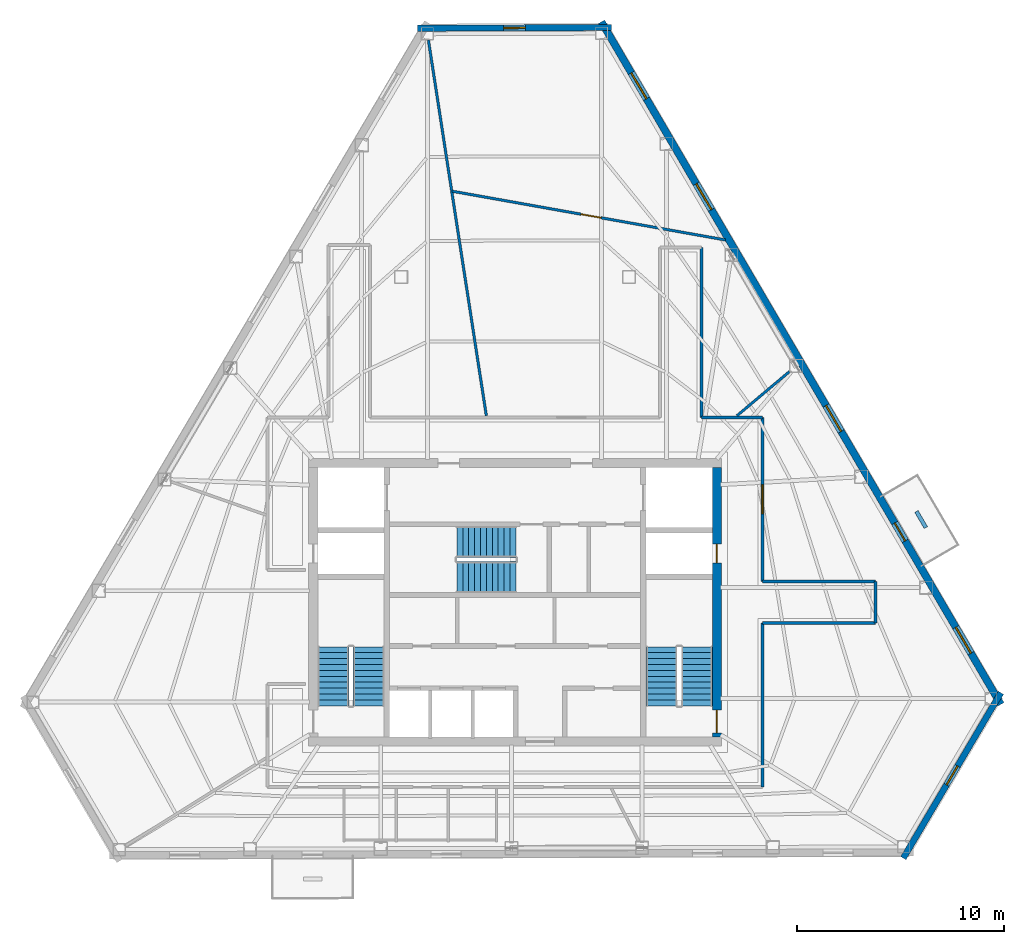
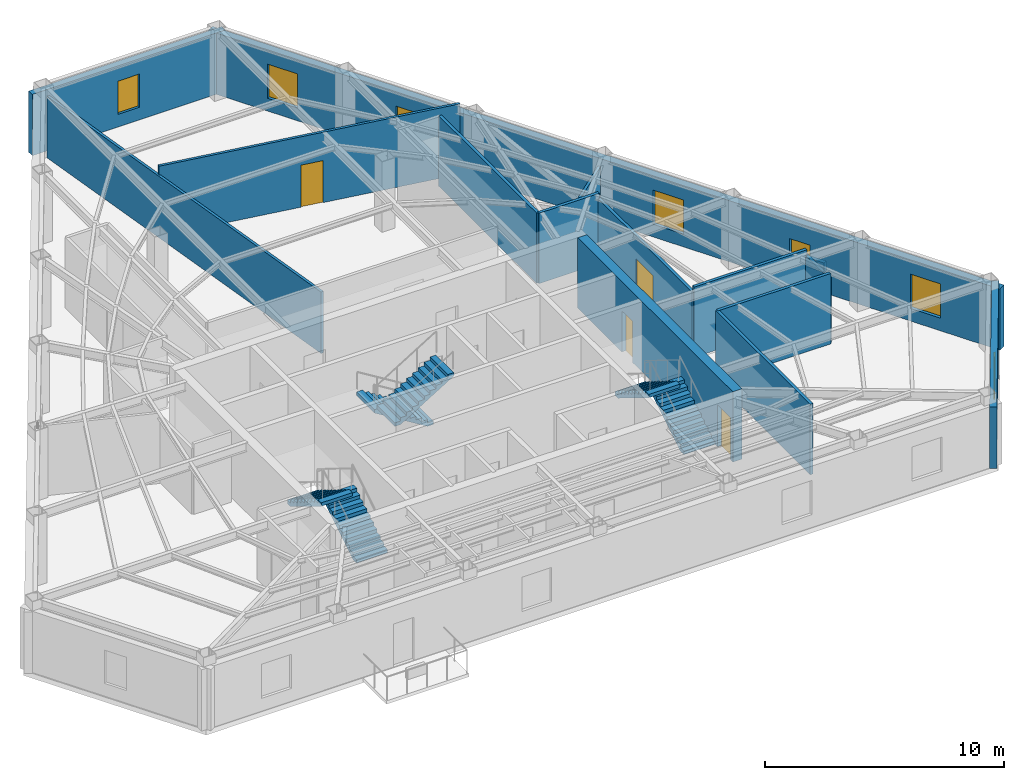
# One storey, part 7 of 9: 15 walls, 6 stair flights, 6 windows, 5 doors, 11 openings, 3 elements without a shape of their own.
"""IFC4 building model written with IfcOpenShell, lengths in metres."""

from ifc_helpers import new_model, si_unit, direction, frame, frame_2d, origin, place, context, subcontext, project, spatial, polyline, rectangle, outline, extrude, material, layer, layer_set, type_object, element, fill, aggregate, save


model = new_model("IFC4")

# Units and contexts
model_context = context("Model", 3, precision=1e-05, world=origin(), true_north=direction((0.0, 1.0)))
body_context = subcontext(model_context, "Body", "Model", "MODEL_VIEW")
ifc_project = project(units=[si_unit("LENGTHUNIT", "METRE"), si_unit("AREAUNIT", "SQUARE_METRE"), si_unit("VOLUMEUNIT", "CUBIC_METRE"), si_unit("PLANEANGLEUNIT", "RADIAN"), si_unit("MASSUNIT", "GRAM", prefix="KILO")], contexts=[model_context])

# Site, building, storey
site_placement = place(None, origin())
site = spatial("IfcSite", under=ifc_project, at=site_placement, CompositionType="ELEMENT")
building_placement = place(site_placement, origin())
building = spatial("IfcBuilding", under=site, at=building_placement, Name="Kavelnor Concourse Tower", CompositionType="ELEMENT")
storey_placement = place(building_placement, frame((0.0, 0.0, 207.35009765625)))
storey = spatial("IfcBuildingStorey", under=building, at=storey_placement, Name="L52", CompositionType="ELEMENT", Elevation=207.35009765625)

# Wall, openings, doors
ifc_material_1 = material(Name="Concrete C50/60", Category="concrete")
ifc_layer_1 = layer(ifc_material_1, 0.43994140625, Name="Concrete C50/60")
ifc_layer_set_1 = layer_set([ifc_layer_1], Name="Concrete C50/60")
wall_type_1 = type_object("IfcWallType", Name="WL-CORE-Z3-440", PredefinedType="SOLIDWALL", material=ifc_layer_set_1)
wall_1_placement = place(storey_placement, frame((47.739990234375, 9.60009765625, 0.0), z_axis=(0.0, 0.0, 1.0), x_axis=(0.0, 1.0, 0.0)))
wall_1 = element("IfcWall", 1, at=wall_1_placement, inside=storey, type_object=wall_type_1, Name="L52 Central Core East Shear Wall", PredefinedType="SOLIDWALL", context=body_context, shape_type="SweptSolid", body=[
    extrude(rectangle(XDim=13.0, YDim=0.43994140625, at=frame_2d((6.5, 0.0))), origin(), (0.0, 0.0, 1.0), 3.599853515625),
])
opening_1_placement = place(wall_1_placement, frame((0.199951171875, 0.0, 0.0)))
opening_1 = element("IfcOpeningElement", 2, at=opening_1_placement, cuts=wall_1, Name="Opening FD-110", PredefinedType="OPENING", context=body_context, shape_type="SweptSolid", body=[
    extrude(rectangle(XDim=1.10009765625, YDim=2.14990234375, at=frame_2d((0.550048828125, 1.074951171875))), frame((0.0, 0.22998046875, 0.0), z_axis=(0.0, -1.0, 0.0), x_axis=(1.0, 0.0, 0.0)), (0.0, 0.0, 1.0), 0.4599609375),
])
opening_2_placement = place(wall_1_placement, frame((8.39990234375, 0.0, 0.0)))
opening_2 = element("IfcOpeningElement", 3, at=opening_2_placement, cuts=wall_1, Name="Opening FD-090", PredefinedType="OPENING", context=body_context, shape_type="SweptSolid", body=[
    extrude(rectangle(XDim=0.89990234375, YDim=2.10009765625, at=frame_2d((0.449951171875, 1.050048828125))), frame((0.0, 0.22998046875, 0.0), z_axis=(0.0, -1.0, 0.0), x_axis=(1.0, 0.0, 0.0)), (0.0, 0.0, 1.0), 0.4599609375),
])
ifc_material_2 = material(Name="Steel Grade 350", Category="steel")
door_type_1 = type_object("IfcDoorType", Name="DR-RISER-FIRE-900", OperationType="NOTDEFINED", PredefinedType="DOOR", material=ifc_material_2)
door_1_placement = place(opening_2_placement, origin())
door_1 = element("IfcDoor", 4, at=door_1_placement, inside=storey, type_object=door_type_1, Name="L52 East Riser Access Door", OperationType="SINGLE_SWING_LEFT", OverallHeight=2.10009765625, OverallWidth=0.89990234375, PredefinedType="DOOR", context=body_context, shape_type="SweptSolid", body=[
    extrude(rectangle(XDim=0.89990234375, YDim=2.10009765625, at=frame_2d((0.449951171875, 1.050048828125))), frame((0.0, 0.02490234375, 0.0), z_axis=(0.0, -1.0, 0.0), x_axis=(1.0, 0.0, 0.0)), (0.0, 0.0, 1.0), 0.050048828125),
])
fill(opening_2, door_1)
door_type_2 = type_object("IfcDoorType", Name="DR-STAIR-FIRE-1100", OperationType="NOTDEFINED", PredefinedType="DOOR", material=ifc_material_2)
door_2_placement = place(opening_1_placement, origin())
door_2 = element("IfcDoor", 5, at=door_2_placement, inside=storey, type_object=door_type_2, Name="L52 Stair ST2 Fire Door", OperationType="SINGLE_SWING_RIGHT", OverallHeight=2.14990234375, OverallWidth=1.10009765625, PredefinedType="DOOR", context=body_context, shape_type="SweptSolid", body=[
    extrude(rectangle(XDim=1.10009765625, YDim=2.14990234375, at=frame_2d((0.550048828125, 1.074951171875))), frame((0.0, 0.02490234375, 0.0), z_axis=(0.0, -1.0, 0.0), x_axis=(1.0, 0.0, 0.0)), (0.0, 0.0, 1.0), 0.050048828125),
])
fill(opening_1, door_2)

# Wall, opening, window
ifc_material_3 = material(Name="Buff ironspot clay face brick masonry", Category="masonry")
ifc_layer_2 = layer(ifc_material_3, 0.300048828125, Name="Buff ironspot clay face brick masonry")
ifc_layer_set_2 = layer_set([ifc_layer_2], Name="Buff ironspot clay face brick masonry")
wall_type_2 = type_object("IfcWallType", Name="WL-EXT-BUFF-BRICK-FOLD-300", PredefinedType="STANDARD", material=ifc_layer_set_2)
wall_2_placement = place(storey_placement, frame((33.29541015625, 43.8037109375, 0.0), z_axis=(0.0, 0.0, 1.0), x_axis=(0.999993419862, 0.003627703449, 0.0)))
wall_2 = element("IfcWall", 6, at=wall_2_placement, inside=storey, type_object=wall_type_2, Name="L52 Exterior Brick Facade Wall E0", PredefinedType="STANDARD", context=body_context, shape_type="SweptSolid", body=[
    extrude(rectangle(XDim=9.3544921875, YDim=0.300048828125, at=frame_2d((4.67724609375, 0.0))), origin(), (0.0, 0.0, 1.0), 3.1318359375),
])
opening_3_placement = place(wall_2_placement, frame((4.15234375, 0.0, 0.64990234375)))
opening_3 = element("IfcOpeningElement", 7, at=opening_3_placement, cuts=wall_2, Name="Opening W-06", PredefinedType="OPENING", context=body_context, shape_type="SweptSolid", body=[
    extrude(rectangle(XDim=1.050048828125, YDim=1.699951171875, at=frame_2d((0.52490234375, 0.85009765625))), frame((0.0, 0.16015625, 0.0), z_axis=(0.0, -1.0, 0.0), x_axis=(1.0, 0.0, 0.0)), (0.0, 0.0, 1.0), 0.320068359375),
])
ifc_material_4 = material(Name="Double low-E argon insulated glazing", Category="glass")
window_type_1 = type_object("IfcWindowType", Name="WIN-FOLD-1050", PartitioningType="SINGLE_PANEL", PredefinedType="WINDOW", material=ifc_material_4)
window_1_placement = place(opening_3_placement, origin())
window_1 = element("IfcWindow", 8, at=window_1_placement, inside=storey, type_object=window_type_1, Name="L52 Chamfer-Fold Facet Window C0", OverallHeight=1.699951171875, OverallWidth=1.050048828125, PartitioningType="SINGLE_PANEL", PredefinedType="WINDOW", context=body_context, shape_type="SweptSolid", body=[
    extrude(rectangle(XDim=1.050048828125, YDim=1.699951171875, at=frame_2d((0.52490234375, 0.85009765625))), frame((0.0, 0.030029296875, 0.0), z_axis=(0.0, -1.0, 0.0), x_axis=(1.0, 0.0, 0.0)), (0.0, 0.0, 1.0), 0.06005859375),
])
fill(opening_3, window_1)

wall_3_placement = place(storey_placement, frame((61.445556640625, 11.730712890625, 0.0), z_axis=(0.0, 0.0, 1.0), x_axis=(-0.508216099248, -0.861229584063, 0.0)))
wall_3 = element("IfcWall", 9, at=wall_3_placement, inside=storey, type_object=wall_type_2, Name="L52 Exterior Brick Facade Wall E4", PredefinedType="STANDARD", context=body_context, shape_type="SweptSolid", body=[
    extrude(rectangle(XDim=9.26513671875, YDim=0.300048828125, at=frame_2d((4.632568359375, 0.0))), origin(), (0.0, 0.0, 1.0), 3.1318359375),
])
opening_4_placement = place(wall_3_placement, frame((4.107666015625, 0.0, 0.64990234375)))
opening_4 = element("IfcOpeningElement", 10, at=opening_4_placement, cuts=wall_3, Name="Opening W-06", PredefinedType="OPENING", context=body_context, shape_type="SweptSolid", body=[
    extrude(rectangle(XDim=1.050048828125, YDim=1.699951171875, at=frame_2d((0.52490234375, 0.85009765625))), frame((0.0, 0.16015625, 0.0), z_axis=(0.0, -1.0, 0.0), x_axis=(1.0, 0.0, 0.0)), (0.0, 0.0, 1.0), 0.320068359375),
])
window_2_placement = place(opening_4_placement, origin())
window_2 = element("IfcWindow", 11, at=window_2_placement, inside=storey, type_object=window_type_1, Name="L52 Chamfer-Fold Facet Window C2", OverallHeight=1.699951171875, OverallWidth=1.050048828125, PartitioningType="SINGLE_PANEL", PredefinedType="WINDOW", context=body_context, shape_type="SweptSolid", body=[
    extrude(rectangle(XDim=1.050048828125, YDim=1.699951171875, at=frame_2d((0.52490234375, 0.85009765625))), frame((0.0, 0.030029296875, 0.0), z_axis=(0.0, -1.0, 0.0), x_axis=(1.0, 0.0, 0.0)), (0.0, 0.0, 1.0), 0.06005859375),
])
fill(opening_4, window_2)

# Wall, openings, door, windows
ifc_material_5 = material(Name="Red-ochre clay face brick masonry", Category="masonry")
ifc_layer_3 = layer(ifc_material_5, 0.35009765625, Name="Red-ochre clay face brick masonry")
ifc_layer_set_3 = layer_set([ifc_layer_3], Name="Red-ochre clay face brick masonry")
wall_type_3 = type_object("IfcWallType", Name="WL-EXT-RED-BRICK-PIER-350", PredefinedType="STANDARD", material=ifc_layer_set_3)
wall_4_placement = place(storey_placement, frame((42.166748046875, 44.11328125, 0.0), z_axis=(0.0, 0.0, 1.0), x_axis=(0.50509390827, -0.863064391473, 0.0)))
wall_4 = element("IfcWall", 12, at=wall_4_placement, inside=storey, type_object=wall_type_3, Name="L52 Exterior Brick Facade Wall E5", PredefinedType="STANDARD", context=body_context, shape_type="SweptSolid", body=[
    extrude(rectangle(XDim=38.166748046875, YDim=0.35009765625, at=frame_2d((19.08349609375, 0.0))), origin(), (0.0, 0.0, 1.0), 3.1318359375),
])
opening_5_placement = place(wall_4_placement, frame((28.025146484375, 0.0, 0.0)))
opening_5 = element("IfcOpeningElement", 13, at=opening_5_placement, cuts=wall_4, Name="Opening BD-100", PredefinedType="OPENING", context=body_context, shape_type="SweptSolid", body=[
    extrude(rectangle(XDim=1.0, YDim=2.199951171875, at=frame_2d((0.5, 1.10009765625))), frame((0.0, 0.18505859375, 0.0), z_axis=(0.0, -1.0, 0.0), x_axis=(1.0, 0.0, 0.0)), (0.0, 0.0, 1.0), 0.3701171875),
])
opening_6_placement = place(wall_4_placement, frame((33.85888671875, 0.0, 0.64990234375)))
opening_6 = element("IfcOpeningElement", 14, at=opening_6_placement, cuts=wall_4, Name="Opening W-03", PredefinedType="OPENING", context=body_context, shape_type="SweptSolid", body=[
    extrude(rectangle(XDim=1.449951171875, YDim=1.75, at=frame_2d((0.72509765625, 0.875))), frame((0.0, 0.18505859375, 0.0), z_axis=(0.0, -1.0, 0.0), x_axis=(1.0, 0.0, 0.0)), (0.0, 0.0, 1.0), 0.3701171875),
])
opening_7_placement = place(wall_4_placement, frame((21.456298828125, 0.0, 0.64990234375)))
opening_7 = element("IfcOpeningElement", 15, at=opening_7_placement, cuts=wall_4, Name="Opening W-03", PredefinedType="OPENING", context=body_context, shape_type="SweptSolid", body=[
    extrude(rectangle(XDim=1.449951171875, YDim=1.75, at=frame_2d((0.72509765625, 0.875))), frame((0.0, 0.18505859375, 0.0), z_axis=(0.0, -1.0, 0.0), x_axis=(1.0, 0.0, 0.0)), (0.0, 0.0, 1.0), 0.3701171875),
])
opening_8_placement = place(wall_4_placement, frame((9.053466796875, 0.0, 0.64990234375)))
opening_8 = element("IfcOpeningElement", 16, at=opening_8_placement, cuts=wall_4, Name="Opening W-03", PredefinedType="OPENING", context=body_context, shape_type="SweptSolid", body=[
    extrude(rectangle(XDim=1.449951171875, YDim=1.75, at=frame_2d((0.72509765625, 0.875))), frame((0.0, 0.18505859375, 0.0), z_axis=(0.0, -1.0, 0.0), x_axis=(1.0, 0.0, 0.0)), (0.0, 0.0, 1.0), 0.3701171875),
])
opening_9_placement = place(wall_4_placement, frame((2.85205078125, 0.0, 0.64990234375)))
opening_9 = element("IfcOpeningElement", 17, at=opening_9_placement, cuts=wall_4, Name="Opening W-03", PredefinedType="OPENING", context=body_context, shape_type="SweptSolid", body=[
    extrude(rectangle(XDim=1.449951171875, YDim=1.75, at=frame_2d((0.72509765625, 0.875))), frame((0.0, 0.18505859375, 0.0), z_axis=(0.0, -1.0, 0.0), x_axis=(1.0, 0.0, 0.0)), (0.0, 0.0, 1.0), 0.3701171875),
])
ifc_material_6 = material(Name="Anodised aluminium 6063-T6", Category="aluminium")
door_type_3 = type_object("IfcDoorType", Name="DR-BALCONY-EXT-1000", OperationType="NOTDEFINED", PredefinedType="DOOR", material=ifc_material_6)
door_3_placement = place(opening_5_placement, origin())
door_3 = element("IfcDoor", 18, at=door_3_placement, inside=storey, type_object=door_type_3, Name="L52 Tree Balcony 2 Glazed Door", OperationType="SINGLE_SWING_RIGHT", OverallHeight=2.199951171875, OverallWidth=1.0, PredefinedType="DOOR", context=body_context, shape_type="SweptSolid", body=[
    extrude(rectangle(XDim=1.0, YDim=2.199951171875, at=frame_2d((0.5, 1.10009765625))), frame((0.0, 0.02490234375, 0.0), z_axis=(0.0, -1.0, 0.0), x_axis=(1.0, 0.0, 0.0)), (0.0, 0.0, 1.0), 0.050048828125),
])
fill(opening_5, door_3)
window_type_2 = type_object("IfcWindowType", Name="WIN-PIER-Z3-1500", PartitioningType="SINGLE_PANEL", PredefinedType="WINDOW", material=ifc_material_4)
window_3_placement = place(opening_6_placement, origin())
window_3 = element("IfcWindow", 19, at=window_3_placement, inside=storey, type_object=window_type_2, Name="L52 Deep-Set Brick Pier Window F2-B0", OverallHeight=1.75, OverallWidth=1.449951171875, PartitioningType="SINGLE_PANEL", PredefinedType="WINDOW", context=body_context, shape_type="SweptSolid", body=[
    extrude(rectangle(XDim=1.449951171875, YDim=1.75, at=frame_2d((0.72509765625, 0.875))), frame((0.0, 0.030029296875, 0.0), z_axis=(0.0, -1.0, 0.0), x_axis=(1.0, 0.0, 0.0)), (0.0, 0.0, 1.0), 0.06005859375),
])
fill(opening_6, window_3)
window_4_placement = place(opening_7_placement, origin())
window_4 = element("IfcWindow", 20, at=window_4_placement, inside=storey, type_object=window_type_2, Name="L52 Deep-Set Brick Pier Window F2-B2", OverallHeight=1.75, OverallWidth=1.449951171875, PartitioningType="SINGLE_PANEL", PredefinedType="WINDOW", context=body_context, shape_type="SweptSolid", body=[
    extrude(rectangle(XDim=1.449951171875, YDim=1.75, at=frame_2d((0.72509765625, 0.875))), frame((0.0, 0.030029296875, 0.0), z_axis=(0.0, -1.0, 0.0), x_axis=(1.0, 0.0, 0.0)), (0.0, 0.0, 1.0), 0.06005859375),
])
fill(opening_7, window_4)
window_5_placement = place(opening_8_placement, origin())
window_5 = element("IfcWindow", 21, at=window_5_placement, inside=storey, type_object=window_type_2, Name="L52 Deep-Set Brick Pier Window F2-B4", OverallHeight=1.75, OverallWidth=1.449951171875, PartitioningType="SINGLE_PANEL", PredefinedType="WINDOW", context=body_context, shape_type="SweptSolid", body=[
    extrude(rectangle(XDim=1.449951171875, YDim=1.75, at=frame_2d((0.72509765625, 0.875))), frame((0.0, 0.030029296875, 0.0), z_axis=(0.0, -1.0, 0.0), x_axis=(1.0, 0.0, 0.0)), (0.0, 0.0, 1.0), 0.06005859375),
])
fill(opening_8, window_5)
window_6_placement = place(opening_9_placement, origin())
window_6 = element("IfcWindow", 22, at=window_6_placement, inside=storey, type_object=window_type_2, Name="L52 Deep-Set Brick Pier Window F2-B5", OverallHeight=1.75, OverallWidth=1.449951171875, PartitioningType="SINGLE_PANEL", PredefinedType="WINDOW", context=body_context, shape_type="SweptSolid", body=[
    extrude(rectangle(XDim=1.449951171875, YDim=1.75, at=frame_2d((0.72509765625, 0.875))), frame((0.0, 0.030029296875, 0.0), z_axis=(0.0, -1.0, 0.0), x_axis=(1.0, 0.0, 0.0)), (0.0, 0.0, 1.0), 0.06005859375),
])
fill(opening_9, window_6)

# Walls
ifc_material_7 = material(Name="Gypsum plasterboard on light-gauge steel studs", Category="steel")
ifc_layer_4 = layer(ifc_material_7, 0.14501953125, Name="Gypsum plasterboard on light-gauge steel studs")
ifc_layer_set_4 = layer_set([ifc_layer_4], Name="Gypsum plasterboard on light-gauge steel studs")
wall_type_4 = type_object("IfcWallType", Name="WL-INT-CORR-145", PredefinedType="PARTITIONING", material=ifc_layer_set_4)
wall_5_placement = place(storey_placement, frame((47.0, 33.214111328125, 0.0), z_axis=(0.0, 0.0, 1.0), x_axis=(0.0, -1.0, 0.0)))
element("IfcWall", 23, at=wall_5_placement, inside=storey, type_object=wall_type_4, Name="L52 Corridor Wall WL-L52-CR-10", PredefinedType="PARTITIONING", context=body_context, shape_type="SweptSolid", body=[
    extrude(rectangle(XDim=8.194091796875, YDim=0.14501953125, at=frame_2d((4.09716796875, 0.0))), origin(), (0.0, 0.0, 1.0), 3.599853515625),
])
wall_6_placement = place(storey_placement, frame((47.0, 25.02001953125, 0.0), z_axis=(0.0, 0.0, 1.0), x_axis=(1.0, 0.0, 0.0)))
element("IfcWall", 24, at=wall_6_placement, inside=storey, type_object=wall_type_4, Name="L52 Corridor Wall WL-L52-CR-11", PredefinedType="PARTITIONING", context=body_context, shape_type="SweptSolid", body=[
    extrude(rectangle(XDim=2.93994140625, YDim=0.14501953125, at=frame_2d((1.469970703125, 0.0))), origin(), (0.0, 0.0, 1.0), 3.599853515625),
])

# Wall, opening, door
wall_7_placement = place(storey_placement, frame((49.93994140625, 25.02001953125, 0.0), z_axis=(0.0, 0.0, 1.0), x_axis=(0.0, -1.0, 0.0)))
wall_7 = element("IfcWall", 25, at=wall_7_placement, inside=storey, type_object=wall_type_4, Name="L52 Corridor Wall WL-L52-CR-12", PredefinedType="PARTITIONING", context=body_context, shape_type="SweptSolid", body=[
    extrude(rectangle(XDim=7.919921875, YDim=0.14501953125, at=frame_2d((3.9599609375, 0.0))), origin(), (0.0, 0.0, 1.0), 3.3388671875),
])
opening_10_placement = place(wall_7_placement, frame((3.260009765625, 0.0, 0.0)))
opening_10 = element("IfcOpeningElement", 26, at=opening_10_placement, cuts=wall_7, Name="Opening SD-140", PredefinedType="OPENING", context=body_context, shape_type="SweptSolid", body=[
    extrude(rectangle(XDim=1.39990234375, YDim=2.199951171875, at=frame_2d((0.699951171875, 1.10009765625))), frame((0.0, 0.08251953125, 0.0), z_axis=(0.0, -1.0, 0.0), x_axis=(1.0, 0.0, 0.0)), (0.0, 0.0, 1.0), 0.1650390625),
])
ifc_material_8 = material(Name="Solid-core hardwood timber", Category="wood")
door_type_4 = type_object("IfcDoorType", Name="DR-SUITE-ENTRY-1400", OperationType="NOTDEFINED", PredefinedType="DOOR", material=ifc_material_8)
door_4_placement = place(opening_10_placement, origin())
door_4 = element("IfcDoor", 27, at=door_4_placement, inside=storey, type_object=door_type_4, Name="L52 Client Concierge 07 Door", OperationType="SINGLE_SWING_RIGHT", OverallHeight=2.199951171875, OverallWidth=1.39990234375, PredefinedType="DOOR", context=body_context, shape_type="SweptSolid", body=[
    extrude(rectangle(XDim=1.39990234375, YDim=2.199951171875, at=frame_2d((0.699951171875, 1.10009765625))), frame((0.0, 0.02490234375, 0.0), z_axis=(0.0, -1.0, 0.0), x_axis=(1.0, 0.0, 0.0)), (0.0, 0.0, 1.0), 0.050048828125),
])
fill(opening_10, door_4)

# Walls
wall_8_placement = place(storey_placement, frame((49.93994140625, 17.10009765625, 0.0), z_axis=(0.0, 0.0, 1.0), x_axis=(1.0, 0.0, 0.0)))
element("IfcWall", 28, at=wall_8_placement, inside=storey, type_object=wall_type_4, Name="L52 Corridor Wall WL-L52-CR-13", PredefinedType="PARTITIONING", context=body_context, shape_type="SweptSolid", body=[
    extrude(rectangle(XDim=5.4599609375, YDim=0.14501953125, at=frame_2d((2.72998046875, 0.0))), origin(), (0.0, 0.0, 1.0), 3.599853515625),
])
wall_9_placement = place(storey_placement, frame((55.39990234375, 17.10009765625, 0.0), z_axis=(0.0, 0.0, 1.0), x_axis=(0.0, -1.0, 0.0)))
element("IfcWall", 29, at=wall_9_placement, inside=storey, type_object=wall_type_4, Name="L52 Corridor Wall WL-L52-CR-14", PredefinedType="PARTITIONING", context=body_context, shape_type="SweptSolid", body=[
    extrude(rectangle(XDim=2.0, YDim=0.14501953125, at=frame_2d((1.0, 0.0))), origin(), (0.0, 0.0, 1.0), 3.3388671875),
])
wall_10_placement = place(storey_placement, frame((55.39990234375, 15.10009765625, 0.0), z_axis=(0.0, 0.0, 1.0), x_axis=(-1.0, 0.0, 0.0)))
element("IfcWall", 30, at=wall_10_placement, inside=storey, type_object=wall_type_4, Name="L52 Corridor Wall WL-L52-CR-15", PredefinedType="PARTITIONING", context=body_context, shape_type="SweptSolid", body=[
    extrude(rectangle(XDim=5.4599609375, YDim=0.14501953125, at=frame_2d((2.72998046875, 0.0))), origin(), (0.0, 0.0, 1.0), 3.599853515625),
])
wall_11_placement = place(storey_placement, frame((49.93994140625, 15.10009765625, 0.0), z_axis=(0.0, 0.0, 1.0), x_axis=(0.0, -1.0, 0.0)))
element("IfcWall", 31, at=wall_11_placement, inside=storey, type_object=wall_type_4, Name="L52 Corridor Wall WL-L52-CR-16", PredefinedType="PARTITIONING", context=body_context, shape_type="SweptSolid", body=[
    extrude(rectangle(XDim=7.920166015625, YDim=0.14501953125, at=frame_2d((3.9599609375, 0.0))), origin(), (0.0, 0.0, 1.0), 3.599853515625),
])
ifc_layer_5 = layer(ifc_material_7, 0.125, Name="Gypsum plasterboard on light-gauge steel studs")
ifc_layer_set_5 = layer_set([ifc_layer_5], Name="Gypsum plasterboard on light-gauge steel studs")
wall_type_5 = type_object("IfcWallType", Name="WL-INT-SUITE-125", PredefinedType="PARTITIONING", material=ifc_layer_set_5)
wall_12_placement = place(storey_placement, frame((48.7060546875, 25.1005859375, 0.0), z_axis=(0.0, 0.0, 1.0), x_axis=(0.765461031338, 0.643482252672, 0.0)))
element("IfcWall", 32, at=wall_12_placement, inside=storey, type_object=wall_type_5, Name="L52 Radial Suite Partition 01", PredefinedType="PARTITIONING", context=body_context, shape_type="SweptSolid", body=[
    extrude(rectangle(XDim=3.314453125, YDim=0.125, at=frame_2d((1.6572265625, 0.0))), origin(), (0.0, 0.0, 1.0), 3.140869140625),
])
wall_13_placement = place(storey_placement, frame((36.612060546875, 25.1005859375, 0.0), z_axis=(0.0, 0.0, 1.0), x_axis=(-0.152413268287, 0.988316849826, 0.0)))
element("IfcWall", 33, at=wall_13_placement, inside=storey, type_object=wall_type_5, Name="L52 Radial Suite Partition 02", PredefinedType="PARTITIONING", context=body_context, shape_type="SweptSolid", body=[
    extrude(rectangle(XDim=18.341064453125, YDim=0.125, at=frame_2d((9.17041015625, 0.0))), origin(), (0.0, 0.0, 1.0), 3.140869140625),
])

# Wall, opening, door
wall_14_placement = place(storey_placement, frame((48.15478515625, 33.584716796875, 0.0), z_axis=(0.0, 0.0, 1.0), x_axis=(-0.98445311225, 0.175647572661, 0.0)))
wall_14 = element("IfcWall", 34, at=wall_14_placement, inside=storey, type_object=wall_type_5, Name="L52 Suite Subdivision Partition 01", PredefinedType="PARTITIONING", context=body_context, shape_type="SweptSolid", body=[
    extrude(rectangle(XDim=13.407470703125, YDim=0.125, at=frame_2d((6.70361328125, 0.0))), origin(), (0.0, 0.0, 1.0), 3.599853515625),
])
opening_11_placement = place(wall_14_placement, frame((6.10400390625, 0.0, 0.0)))
opening_11 = element("IfcOpeningElement", 35, at=opening_11_placement, cuts=wall_14, Name="Opening OD-098", PredefinedType="OPENING", context=body_context, shape_type="SweptSolid", body=[
    extrude(rectangle(XDim=0.97998046875, YDim=2.14990234375, at=frame_2d((0.489990234375, 1.074951171875))), frame((0.0, 0.072509765625, 0.0), z_axis=(0.0, -1.0, 0.0), x_axis=(1.0, 0.0, 0.0)), (0.0, 0.0, 1.0), 0.14501953125),
])
door_type_5 = type_object("IfcDoorType", Name="DR-OFFICE-980", OperationType="NOTDEFINED", PredefinedType="DOOR", material=ifc_material_8)
door_5_placement = place(opening_11_placement, origin())
door_5 = element("IfcDoor", 36, at=door_5_placement, inside=storey, type_object=door_type_5, Name="L52 Executive Dining Room 02 Door", OperationType="SINGLE_SWING_LEFT", OverallHeight=2.14990234375, OverallWidth=0.97998046875, PredefinedType="DOOR", context=body_context, shape_type="SweptSolid", body=[
    extrude(rectangle(XDim=0.97998046875, YDim=2.14990234375, at=frame_2d((0.489990234375, 1.074951171875))), frame((0.0, 0.02490234375, 0.0), z_axis=(0.0, -1.0, 0.0), x_axis=(1.0, 0.0, 0.0)), (0.0, 0.0, 1.0), 0.050048828125),
])
fill(opening_11, door_5)

# Wall
ifc_material_9 = material(Name="Architectural precast planter concrete C40/50", Category="concrete")
ifc_layer_6 = layer(ifc_material_9, 0.18994140625, Name="Architectural precast planter concrete C40/50")
ifc_layer_set_6 = layer_set([ifc_layer_6], Name="Architectural precast planter concrete C40/50")
wall_type_6 = type_object("IfcWallType", Name="WL-PLANTER-KERB-190", PredefinedType="USERDEFINED", material=ifc_layer_set_6)
wall_15_placement = place(storey_placement, frame((57.82470703125, 19.70458984375, 0.0), z_axis=(0.0, 0.0, 1.0), x_axis=(-0.505169344653, 0.863020239173, 0.0)))
element("IfcWall", 37, at=wall_15_placement, inside=storey, type_object=wall_type_6, Name="L52 Tree Balcony 2 Tree Planter Kerb", ObjectType="PLANTER", PredefinedType="USERDEFINED", context=body_context, shape_type="SweptSolid", body=[
    extrude(rectangle(XDim=0.89990234375, YDim=0.18994140625, at=frame_2d((0.449951171875, 0.0))), origin(), (0.0, 0.0, 1.0), 0.5),
])

# Stair, stair flights
ifc_material_10 = material(Name="Concrete C40/50", Category="concrete")
stair_type = type_object("IfcStairType", Name="STR-CORE-1500", PredefinedType="HALF_TURN_STAIR", material=ifc_material_10)
stair_1_placement = place(storey_placement, origin())
stair_1 = element("IfcStair", 38, at=stair_1_placement, inside=storey, type_object=stair_type, Name="L52 ST1", PredefinedType="HALF_TURN_STAIR")
stair_flight_type = type_object("IfcStairFlightType", Name="STR-FLIGHT-1500", PredefinedType="STRAIGHT", material=ifc_material_10)
stair_flight_1_placement = place(storey_placement, frame((30.929931640625, 11.10009765625, 0.0), z_axis=(0.0, 0.0, 1.0), x_axis=(0.0, 1.0, 0.0)))
stair_flight_1 = element("IfcStairFlight", 39, at=stair_flight_1_placement, type_object=stair_flight_type, Name="ST1 flight 1", NumberOfRisers=11, NumberOfTreads=10, PredefinedType="STRAIGHT", RiserHeight=0.175, TreadLength=0.285, context=body_context, shape_type="SweptSolid", body=[
    extrude(outline(polyline([(0.0, 0.0), (0.0, 0.175048828125), (0.284912109375, 0.175048828125), (0.284912109375, 0.35009765625), (0.570068359375, 0.35009765625), (0.570068359375, 0.52490234375), (0.85498046875, 0.52490234375), (0.85498046875, 0.699951171875), (1.139892578125, 0.699951171875), (1.139892578125, 0.875), (1.425048828125, 0.875), (1.425048828125, 1.050048828125), (1.7099609375, 1.050048828125), (1.7099609375, 1.22509765625), (1.9951171875, 1.22509765625), (1.9951171875, 1.39990234375), (2.280029296875, 1.39990234375), (2.280029296875, 1.574951171875), (2.56494140625, 1.574951171875), (2.56494140625, 1.75), (2.85009765625, 1.75), (2.85009765625, 1.925048828125), (2.85009765625, 1.573974609375), (0.286376953125, 0.0), (0.0, 0.0)])), frame((0.0, 0.75, 0.0), z_axis=(0.0, -1.0, 0.0), x_axis=(1.0, 0.0, 0.0)), (0.0, 0.0, 1.0), 1.5),
])
stair_flight_2_placement = place(storey_placement, frame((29.22998046875, 13.949951171875, 1.9248046875), z_axis=(0.0, 0.0, 1.0), x_axis=(0.0, -1.0, 0.0)))
stair_flight_2 = element("IfcStairFlight", 40, at=stair_flight_2_placement, type_object=stair_flight_type, Name="ST1 flight 2", NumberOfRisers=11, NumberOfTreads=10, PredefinedType="STRAIGHT", RiserHeight=0.175, TreadLength=0.285, context=body_context, shape_type="SweptSolid", body=[
    extrude(outline(polyline([(0.0, 0.0), (0.0, 0.175048828125), (0.284912109375, 0.175048828125), (0.284912109375, 0.35009765625), (0.570068359375, 0.35009765625), (0.570068359375, 0.52490234375), (0.85498046875, 0.52490234375), (0.85498046875, 0.699951171875), (1.139892578125, 0.699951171875), (1.139892578125, 0.875), (1.425048828125, 0.875), (1.425048828125, 1.050048828125), (1.7099609375, 1.050048828125), (1.7099609375, 1.22509765625), (1.9951171875, 1.22509765625), (1.9951171875, 1.39990234375), (2.280029296875, 1.39990234375), (2.280029296875, 1.574951171875), (2.56494140625, 1.574951171875), (2.56494140625, 1.75), (2.85009765625, 1.75), (2.85009765625, 1.925048828125), (2.85009765625, 1.573974609375), (0.286376953125, 0.0), (0.0, 0.0)])), frame((0.0, 0.75, 0.0), z_axis=(0.0, -1.0, 0.0), x_axis=(1.0, 0.0, 0.0)), (0.0, 0.0, 1.0), 1.5),
])
aggregate(stair_1, [stair_flight_1, stair_flight_2])

stair_2_placement = place(storey_placement, origin())
stair_2 = element("IfcStair", 41, at=stair_2_placement, inside=storey, type_object=stair_type, Name="L52 ST2", PredefinedType="HALF_TURN_STAIR")
stair_flight_3_placement = place(storey_placement, frame((46.77001953125, 11.10009765625, 0.0), z_axis=(0.0, 0.0, 1.0), x_axis=(0.0, 1.0, 0.0)))
stair_flight_3 = element("IfcStairFlight", 42, at=stair_flight_3_placement, type_object=stair_flight_type, Name="ST2 flight 1", NumberOfRisers=11, NumberOfTreads=10, PredefinedType="STRAIGHT", RiserHeight=0.175, TreadLength=0.285, context=body_context, shape_type="SweptSolid", body=[
    extrude(outline(polyline([(0.0, 0.0), (0.0, 0.175048828125), (0.284912109375, 0.175048828125), (0.284912109375, 0.35009765625), (0.570068359375, 0.35009765625), (0.570068359375, 0.52490234375), (0.85498046875, 0.52490234375), (0.85498046875, 0.699951171875), (1.139892578125, 0.699951171875), (1.139892578125, 0.875), (1.425048828125, 0.875), (1.425048828125, 1.050048828125), (1.7099609375, 1.050048828125), (1.7099609375, 1.22509765625), (1.9951171875, 1.22509765625), (1.9951171875, 1.39990234375), (2.280029296875, 1.39990234375), (2.280029296875, 1.574951171875), (2.56494140625, 1.574951171875), (2.56494140625, 1.75), (2.85009765625, 1.75), (2.85009765625, 1.925048828125), (2.85009765625, 1.573974609375), (0.286376953125, 0.0), (0.0, 0.0)])), frame((0.0, 0.75, 0.0), z_axis=(0.0, -1.0, 0.0), x_axis=(1.0, 0.0, 0.0)), (0.0, 0.0, 1.0), 1.5),
])
stair_flight_4_placement = place(storey_placement, frame((45.070068359375, 13.949951171875, 1.9248046875), z_axis=(0.0, 0.0, 1.0), x_axis=(0.0, -1.0, 0.0)))
stair_flight_4 = element("IfcStairFlight", 43, at=stair_flight_4_placement, type_object=stair_flight_type, Name="ST2 flight 2", NumberOfRisers=11, NumberOfTreads=10, PredefinedType="STRAIGHT", RiserHeight=0.175, TreadLength=0.285, context=body_context, shape_type="SweptSolid", body=[
    extrude(outline(polyline([(0.0, 0.0), (0.0, 0.175048828125), (0.284912109375, 0.175048828125), (0.284912109375, 0.35009765625), (0.570068359375, 0.35009765625), (0.570068359375, 0.52490234375), (0.85498046875, 0.52490234375), (0.85498046875, 0.699951171875), (1.139892578125, 0.699951171875), (1.139892578125, 0.875), (1.425048828125, 0.875), (1.425048828125, 1.050048828125), (1.7099609375, 1.050048828125), (1.7099609375, 1.22509765625), (1.9951171875, 1.22509765625), (1.9951171875, 1.39990234375), (2.280029296875, 1.39990234375), (2.280029296875, 1.574951171875), (2.56494140625, 1.574951171875), (2.56494140625, 1.75), (2.85009765625, 1.75), (2.85009765625, 1.925048828125), (2.85009765625, 1.573974609375), (0.286376953125, 0.0), (0.0, 0.0)])), frame((0.0, 0.75, 0.0), z_axis=(0.0, -1.0, 0.0), x_axis=(1.0, 0.0, 0.0)), (0.0, 0.0, 1.0), 1.5),
])
aggregate(stair_2, [stair_flight_3, stair_flight_4])

stair_3_placement = place(storey_placement, origin())
stair_3 = element("IfcStair", 44, at=stair_3_placement, inside=storey, type_object=stair_type, Name="L52 ST3", PredefinedType="HALF_TURN_STAIR")
stair_flight_5_placement = place(storey_placement, frame((38.0400390625, 19.010009765625, 0.0), z_axis=(0.0, 0.0, 1.0), x_axis=(-1.0, 0.0, 0.0)))
stair_flight_5 = element("IfcStairFlight", 45, at=stair_flight_5_placement, type_object=stair_flight_type, Name="ST3 flight 1", NumberOfRisers=11, NumberOfTreads=10, PredefinedType="STRAIGHT", RiserHeight=0.175, TreadLength=0.285, context=body_context, shape_type="SweptSolid", body=[
    extrude(outline(polyline([(0.0, 0.0), (0.0, 0.175048828125), (0.284912109375, 0.175048828125), (0.284912109375, 0.35009765625), (0.570068359375, 0.35009765625), (0.570068359375, 0.52490234375), (0.85498046875, 0.52490234375), (0.85498046875, 0.699951171875), (1.139892578125, 0.699951171875), (1.139892578125, 0.875), (1.425048828125, 0.875), (1.425048828125, 1.050048828125), (1.7099609375, 1.050048828125), (1.7099609375, 1.22509765625), (1.9951171875, 1.22509765625), (1.9951171875, 1.39990234375), (2.280029296875, 1.39990234375), (2.280029296875, 1.574951171875), (2.56494140625, 1.574951171875), (2.56494140625, 1.75), (2.85009765625, 1.75), (2.85009765625, 1.925048828125), (2.85009765625, 1.573974609375), (0.286376953125, 0.0), (0.0, 0.0)])), frame((0.0, 0.75, 0.0), z_axis=(0.0, -1.0, 0.0), x_axis=(1.0, 0.0, 0.0)), (0.0, 0.0, 1.0), 1.5),
])
stair_flight_6_placement = place(storey_placement, frame((35.18994140625, 17.31005859375, 1.9248046875), z_axis=(0.0, 0.0, 1.0), x_axis=(1.0, 0.0, 0.0)))
stair_flight_6 = element("IfcStairFlight", 46, at=stair_flight_6_placement, type_object=stair_flight_type, Name="ST3 flight 2", NumberOfRisers=11, NumberOfTreads=10, PredefinedType="STRAIGHT", RiserHeight=0.175, TreadLength=0.285, context=body_context, shape_type="SweptSolid", body=[
    extrude(outline(polyline([(0.0, 0.0), (0.0, 0.175048828125), (0.284912109375, 0.175048828125), (0.284912109375, 0.35009765625), (0.570068359375, 0.35009765625), (0.570068359375, 0.52490234375), (0.85498046875, 0.52490234375), (0.85498046875, 0.699951171875), (1.139892578125, 0.699951171875), (1.139892578125, 0.875), (1.425048828125, 0.875), (1.425048828125, 1.050048828125), (1.7099609375, 1.050048828125), (1.7099609375, 1.22509765625), (1.9951171875, 1.22509765625), (1.9951171875, 1.39990234375), (2.280029296875, 1.39990234375), (2.280029296875, 1.574951171875), (2.56494140625, 1.574951171875), (2.56494140625, 1.75), (2.85009765625, 1.75), (2.85009765625, 1.925048828125), (2.85009765625, 1.573974609375), (0.286376953125, 0.0), (0.0, 0.0)])), frame((0.0, 0.75, 0.0), z_axis=(0.0, -1.0, 0.0), x_axis=(1.0, 0.0, 0.0)), (0.0, 0.0, 1.0), 1.5),
])
aggregate(stair_3, [stair_flight_5, stair_flight_6])

save(model, "model.ifc")
